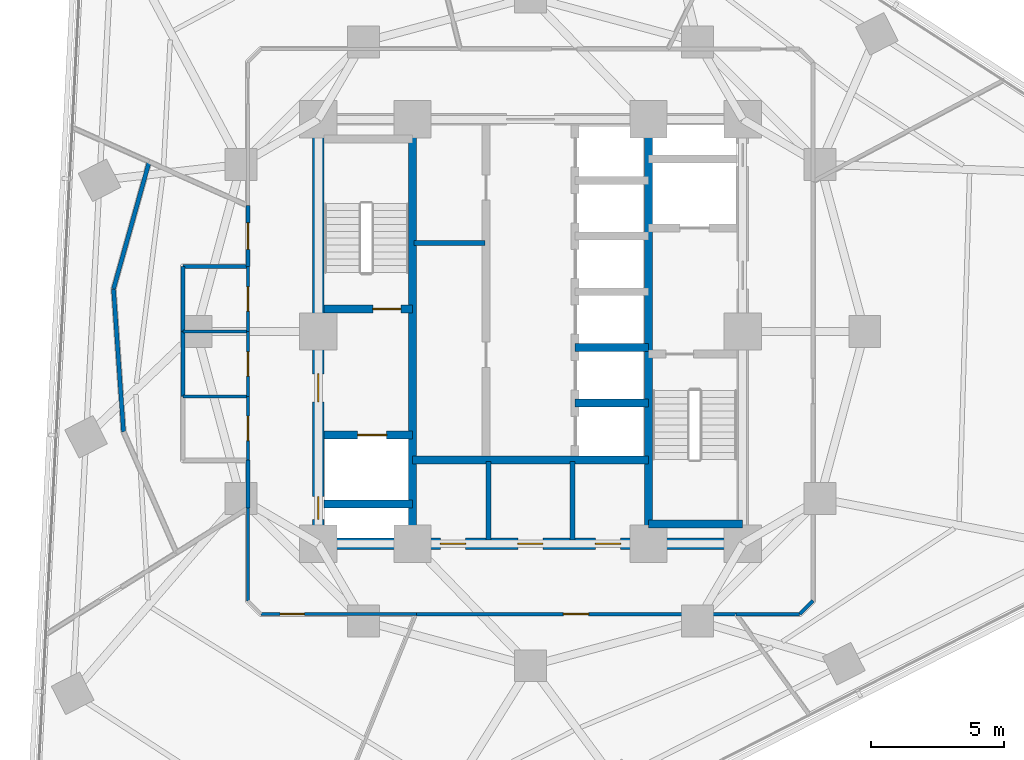
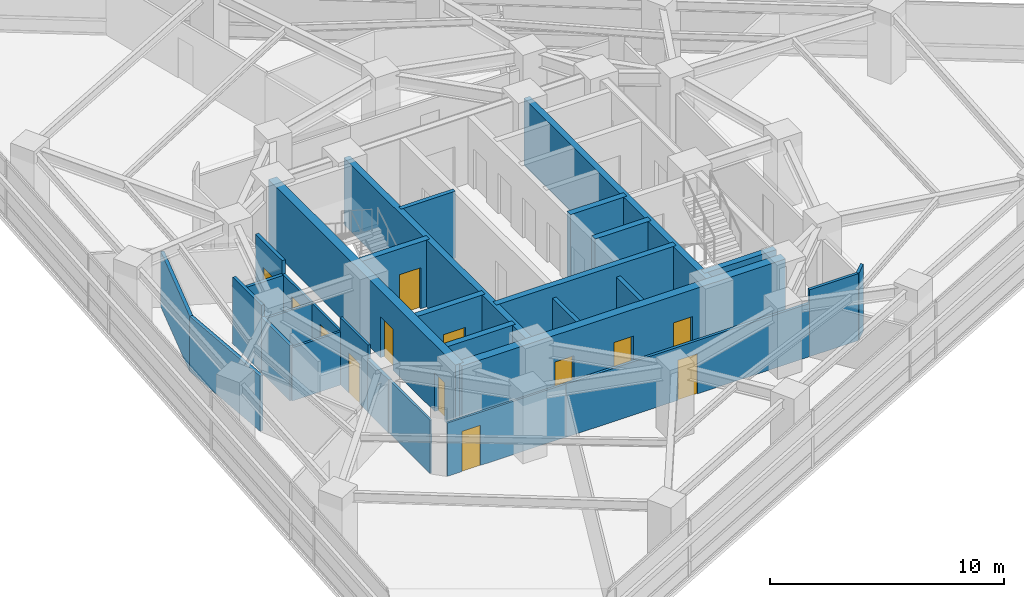
# One storey, part 8 of 14: 31 walls, 13 doors, 13 openings.
"""IFC4 building model written with IfcOpenShell, lengths in metres."""

from ifc_helpers import new_model, si_unit, direction, frame, frame_2d, origin, place, context, subcontext, project, spatial, rectangle, extrude, material, layer, layer_set, type_object, element, fill, save


model = new_model("IFC4")

# Units and contexts
model_context = context("Model", 3, precision=1e-05, world=origin(), true_north=direction((0.0, 1.0)))
body_context = subcontext(model_context, "Body", "Model", "MODEL_VIEW")
ifc_project = project(units=[si_unit("LENGTHUNIT", "METRE"), si_unit("AREAUNIT", "SQUARE_METRE"), si_unit("VOLUMEUNIT", "CUBIC_METRE"), si_unit("PLANEANGLEUNIT", "RADIAN"), si_unit("MASSUNIT", "GRAM", prefix="KILO")], contexts=[model_context])

# Site, building, storey
site_placement = place(None, origin())
site = spatial("IfcSite", under=ifc_project, at=site_placement, CompositionType="ELEMENT")
building_placement = place(site_placement, origin())
building = spatial("IfcBuilding", under=site, at=building_placement, Name="Terralouvre Media Tower", CompositionType="ELEMENT")
storey_placement = place(building_placement, frame((0.0, 0.0, 134.699951171875)))
storey = spatial("IfcBuildingStorey", under=building, at=storey_placement, Name="L34", CompositionType="ELEMENT", Elevation=134.699951171875)

# Walls
ifc_material_1 = material(Name="Concrete C50/60", Category="concrete")
ifc_layer_1 = layer(ifc_material_1, 0.300048828125, Name="Core Internal Shaft Wall CW-300")
ifc_layer_set_1 = layer_set([ifc_layer_1], Name="Concrete C50/60")
wall_type_1 = type_object("IfcWallType", Name="Core Internal Shaft Wall CW-300", PredefinedType="SHEAR", material=ifc_layer_set_1)
for number, where, z_axis, x_axis, name in (
    (1, (-4.449951171875, -7.7900390625, 0.0), (0.0, 0.0, 1.0), (0.0, 1.0, 0.0), "L34 Core Shaft Wall SPW"),
    (2, (4.449951171875, -7.7900390625, 0.0), (0.0, 0.0, 1.0), (0.0, 1.0, 0.0), "L34 Core Shaft Wall SPE"),
):
    element("IfcWall", number, at=place(storey_placement, frame(where, z_axis=z_axis, x_axis=x_axis)), inside=storey, type_object=wall_type_1, Name=name, PredefinedType="SHEAR", context=body_context, shape_type="SweptSolid", body=[
        extrude(rectangle(XDim=15.580078125, YDim=0.300048828125, at=frame_2d((7.7900390625, 0.0))), origin(), (0.0, 0.0, 1.0), 3.5),
    ])

# Wall, opening, door
wall_1_placement = place(storey_placement, frame((-7.7900390625, 0.85009765625, 0.0), z_axis=(0.0, 0.0, 1.0), x_axis=(1.0, 0.0, 0.0)))
wall_1 = element("IfcWall", 3, at=wall_1_placement, inside=storey, type_object=wall_type_1, Name="L34 Core Shaft Wall ST1D", PredefinedType="SHEAR", context=body_context, shape_type="SweptSolid", body=[
    extrude(rectangle(XDim=3.340087890625, YDim=0.300048828125, at=frame_2d((1.669921875, 0.0))), origin(), (0.0, 0.0, 1.0), 3.5),
])
opening_1_placement = place(wall_1_placement, frame((1.85009765625, 0.0, 0.0)))
opening_1 = element("IfcOpeningElement", 4, at=opening_1_placement, cuts=wall_1, Name="Opening FD-01-105X215", PredefinedType="OPENING", context=body_context, shape_type="SweptSolid", body=[
    extrude(rectangle(XDim=1.050048828125, YDim=2.14990234375, at=frame_2d((0.52490234375, 1.074951171875))), frame((0.0, 0.159912109375, 0.0), z_axis=(0.0, -1.0, 0.0), x_axis=(1.0, 0.0, 0.0)), (0.0, 0.0, 1.0), 0.320068359375),
])
ifc_material_2 = material(Name="Galvanised steel fire-resisting leaf", Category="steel")
door_type_1 = type_object("IfcDoorType", Name="Stair and Firefighting Lobby Fire Door FD-01 (1050x2150)", OperationType="NOTDEFINED", PredefinedType="DOOR", material=ifc_material_2)
door_1_placement = place(opening_1_placement, origin())
door_1 = element("IfcDoor", 5, at=door_1_placement, inside=storey, type_object=door_type_1, Name="L34 ST-01 Exit Stair Door", OperationType="SINGLE_SWING_LEFT", OverallHeight=2.14990234375, OverallWidth=1.050048828125, PredefinedType="DOOR", context=body_context, shape_type="SweptSolid", body=[
    extrude(rectangle(XDim=1.050048828125, YDim=2.14990234375, at=frame_2d((0.52490234375, 1.074951171875))), frame((0.0, 0.02490234375, 0.0), z_axis=(0.0, -1.0, 0.0), x_axis=(1.0, 0.0, 0.0)), (0.0, 0.0, 1.0), 0.050048828125),
])
fill(opening_1, door_1)

# Wall
wall_2_placement = place(storey_placement, frame((4.449951171875, -7.260009765625, 0.0), z_axis=(0.0, 0.0, 1.0), x_axis=(1.0, 0.0, 0.0)))
element("IfcWall", 6, at=wall_2_placement, inside=storey, type_object=wall_type_1, Name="L34 Core Shaft Wall ST2F", PredefinedType="SHEAR", context=body_context, shape_type="SweptSolid", body=[
    extrude(rectangle(XDim=3.550048828125, YDim=0.300048828125, at=frame_2d((1.77490234375, 0.0))), origin(), (0.0, 0.0, 1.0), 3.5),
])

# Wall, opening, door
wall_3_placement = place(storey_placement, frame((-7.7900390625, -3.89990234375, 0.0), z_axis=(0.0, 0.0, 1.0), x_axis=(1.0, 0.0, 0.0)))
wall_3 = element("IfcWall", 7, at=wall_3_placement, inside=storey, type_object=wall_type_1, Name="L34 Core Shaft Wall FF1N", PredefinedType="SHEAR", context=body_context, shape_type="SweptSolid", body=[
    extrude(rectangle(XDim=3.340087890625, YDim=0.300048828125, at=frame_2d((1.669921875, 0.0))), origin(), (0.0, 0.0, 1.0), 3.5),
])
opening_2_placement = place(wall_3_placement, frame((1.27001953125, 0.0, 0.0)))
opening_2 = element("IfcOpeningElement", 8, at=opening_2_placement, cuts=wall_3, Name="Opening LD-FF", PredefinedType="OPENING", context=body_context, shape_type="SweptSolid", body=[
    extrude(rectangle(XDim=1.10009765625, YDim=2.10009765625, at=frame_2d((0.550048828125, 1.050048828125))), frame((0.0, 0.159912109375, 0.0), z_axis=(0.0, -1.0, 0.0), x_axis=(1.0, 0.0, 0.0)), (0.0, 0.0, 1.0), 0.320068359375),
])
ifc_material_3 = material(Name="Stainless steel 316 handrail and balustrade", Category="steel")
door_type_2 = type_object("IfcDoorType", Name="Firefighting Lift Sliding Landing Door LD-FF", OperationType="SLIDING_TO_LEFT", PredefinedType="DOOR", material=ifc_material_3)
door_2_placement = place(opening_2_placement, origin())
door_2 = element("IfcDoor", 9, at=door_2_placement, inside=storey, type_object=door_type_2, Name="L34 Firefighting Lift FFL-01 Landing Door", OperationType="SLIDING_TO_LEFT", OverallHeight=2.10009765625, OverallWidth=1.10009765625, PredefinedType="DOOR", context=body_context, shape_type="SweptSolid", body=[
    extrude(rectangle(XDim=1.10009765625, YDim=2.10009765625, at=frame_2d((0.550048828125, 1.050048828125))), frame((0.0, 0.02490234375, 0.0), z_axis=(0.0, -1.0, 0.0), x_axis=(1.0, 0.0, 0.0)), (0.0, 0.0, 1.0), 0.050048828125),
])
fill(opening_2, door_2)

# Walls
wall_4_placement = place(storey_placement, frame((-7.7900390625, -6.5, 0.0), z_axis=(0.0, 0.0, 1.0), x_axis=(1.0, 0.0, 0.0)))
element("IfcWall", 10, at=wall_4_placement, inside=storey, type_object=wall_type_1, Name="L34 Core Shaft Wall FF1S", PredefinedType="SHEAR", context=body_context, shape_type="SweptSolid", body=[
    extrude(rectangle(XDim=3.340087890625, YDim=0.300048828125, at=frame_2d((1.669921875, 0.0))), origin(), (0.0, 0.0, 1.0), 3.5),
])
wall_5_placement = place(storey_placement, frame((-4.449951171875, -4.85009765625, 0.0), z_axis=(0.0, 0.0, 1.0), x_axis=(1.0, 0.0, 0.0)))
element("IfcWall", 11, at=wall_5_placement, inside=storey, type_object=wall_type_1, Name="L34 Core Shaft Wall CSBN", PredefinedType="SHEAR", context=body_context, shape_type="SweptSolid", body=[
    extrude(rectangle(XDim=8.89990234375, YDim=0.300048828125, at=frame_2d((4.449951171875, 0.0))), origin(), (0.0, 0.0, 1.0), 3.5),
])
for number, where, z_axis, x_axis, name in (
    (12, (1.679931640625, -2.699951171875, 0.0), (0.0, 0.0, 1.0), (1.0, 0.0, 0.0), "L34 Core Shaft Wall PLHD1"),
    (13, (1.679931640625, -0.60009765625, 0.0), (0.0, 0.0, 1.0), (1.0, 0.0, 0.0), "L34 Core Shaft Wall PLHD2"),
):
    element("IfcWall", number, at=place(storey_placement, frame(where, z_axis=z_axis, x_axis=x_axis)), inside=storey, type_object=wall_type_1, Name=name, PredefinedType="SHEAR", context=body_context, shape_type="SweptSolid", body=[
        extrude(rectangle(XDim=2.77001953125, YDim=0.300048828125, at=frame_2d((1.385009765625, 0.0))), origin(), (0.0, 0.0, 1.0), 3.5),
    ])

# Wall, openings, doors
ifc_material_4 = material(Name="Concrete C60/75", Category="concrete")
ifc_layer_2 = layer(ifc_material_4, 0.419921875, Name="Core Reinforced Concrete Shear Wall CW-420")
ifc_layer_set_2 = layer_set([ifc_layer_2], Name="Concrete C60/75")
wall_type_2 = type_object("IfcWallType", Name="Core Reinforced Concrete Shear Wall CW-420", PredefinedType="SHEAR", material=ifc_layer_set_2)
wall_6_placement = place(storey_placement, frame((-8.0, -8.0, 0.0), z_axis=(0.0, 0.0, 1.0), x_axis=(0.0, 1.0, 0.0)))
wall_6 = element("IfcWall", 14, at=wall_6_placement, inside=storey, type_object=wall_type_2, Name="L34 W Core Shear Wall", PredefinedType="SHEAR", context=body_context, shape_type="SweptSolid", body=[
    extrude(rectangle(XDim=16.0, YDim=0.419921875, at=frame_2d((8.0, 0.0))), origin(), (0.0, 0.0, 1.0), 3.5),
])
opening_3_placement = place(wall_6_placement, frame((0.921630859375, 0.0, 0.0)))
opening_3 = element("IfcOpeningElement", 15, at=opening_3_placement, cuts=wall_6, Name="Opening TD-R1", PredefinedType="OPENING", context=body_context, shape_type="SweptSolid", body=[
    extrude(rectangle(XDim=0.85009765625, YDim=2.02001953125, at=frame_2d((0.425048828125, 1.010009765625))), frame((0.0, 0.219970703125, 0.0), z_axis=(0.0, -1.0, 0.0), x_axis=(1.0, 0.0, 0.0)), (0.0, 0.0, 1.0), 0.43994140625),
])
opening_4_placement = place(wall_6_placement, frame((5.35009765625, 0.0, 0.0)))
opening_4 = element("IfcOpeningElement", 16, at=opening_4_placement, cuts=wall_6, Name="Opening FD-01-105X215", PredefinedType="OPENING", context=body_context, shape_type="SweptSolid", body=[
    extrude(rectangle(XDim=1.050048828125, YDim=2.14990234375, at=frame_2d((0.52490234375, 1.074951171875))), frame((0.0, 0.219970703125, 0.0), z_axis=(0.0, -1.0, 0.0), x_axis=(1.0, 0.0, 0.0)), (0.0, 0.0, 1.0), 0.43994140625),
])
ifc_material_5 = material(Name="Galvanised steel fire-resisting leaf", Category="steel")
door_type_3 = type_object("IfcDoorType", Name="Riser Inspection Access Trapdoor TD-R1", OperationType="NOTDEFINED", PredefinedType="TRAPDOOR", material=ifc_material_5)
door_3_placement = place(opening_3_placement, origin())
door_3 = element("IfcDoor", 17, at=door_3_placement, inside=storey, type_object=door_type_3, Name="L34 Wet Riser Access Trapdoor", OperationType="SINGLE_SWING_LEFT", OverallHeight=2.02001953125, OverallWidth=0.85009765625, PredefinedType="TRAPDOOR", context=body_context, shape_type="SweptSolid", body=[
    extrude(rectangle(XDim=0.85009765625, YDim=2.02001953125, at=frame_2d((0.425048828125, 1.010009765625))), frame((0.0, 0.02490234375, 0.0), z_axis=(0.0, -1.0, 0.0), x_axis=(1.0, 0.0, 0.0)), (0.0, 0.0, 1.0), 0.050048828125),
])
fill(opening_3, door_3)
door_4_placement = place(opening_4_placement, origin())
door_4 = element("IfcDoor", 18, at=door_4_placement, inside=storey, type_object=door_type_1, Name="L34 West Firefighting Lobby Entry Door", OperationType="SINGLE_SWING_RIGHT", OverallHeight=2.14990234375, OverallWidth=1.050048828125, PredefinedType="DOOR", context=body_context, shape_type="SweptSolid", body=[
    extrude(rectangle(XDim=1.050048828125, YDim=2.14990234375, at=frame_2d((0.52490234375, 1.074951171875))), frame((0.0, 0.02490234375, 0.0), z_axis=(0.0, -1.0, 0.0), x_axis=(1.0, 0.0, 0.0)), (0.0, 0.0, 1.0), 0.050048828125),
])
fill(opening_4, door_4)

wall_7_placement = place(storey_placement, frame((-8.0, -8.0, 0.0), z_axis=(0.0, 0.0, 1.0), x_axis=(1.0, 0.0, 0.0)))
wall_7 = element("IfcWall", 19, at=wall_7_placement, inside=storey, type_object=wall_type_2, Name="L34 S Core Shear Wall", PredefinedType="SHEAR", context=body_context, shape_type="SweptSolid", body=[
    extrude(rectangle(XDim=16.0, YDim=0.419921875, at=frame_2d((8.0, 0.0))), origin(), (0.0, 0.0, 1.0), 3.5),
])
opening_5_placement = place(wall_7_placement, frame((4.60009765625, 0.0, 0.0)))
opening_5 = element("IfcOpeningElement", 20, at=opening_5_placement, cuts=wall_7, Name="Opening FD-02-95X210", PredefinedType="OPENING", context=body_context, shape_type="SweptSolid", body=[
    extrude(rectangle(XDim=0.949951171875, YDim=2.10009765625, at=frame_2d((0.47509765625, 1.050048828125))), frame((0.0, 0.219970703125, 0.0), z_axis=(0.0, -1.0, 0.0), x_axis=(1.0, 0.0, 0.0)), (0.0, 0.0, 1.0), 0.43994140625),
])
opening_6_placement = place(wall_7_placement, frame((7.52001953125, 0.0, 0.0)))
opening_6 = element("IfcOpeningElement", 21, at=opening_6_placement, cuts=wall_7, Name="Opening FD-02-95X210", PredefinedType="OPENING", context=body_context, shape_type="SweptSolid", body=[
    extrude(rectangle(XDim=0.949951171875, YDim=2.10009765625, at=frame_2d((0.47509765625, 1.050048828125))), frame((0.0, 0.219970703125, 0.0), z_axis=(0.0, -1.0, 0.0), x_axis=(1.0, 0.0, 0.0)), (0.0, 0.0, 1.0), 0.43994140625),
])
opening_7_placement = place(wall_7_placement, frame((10.449951171875, 0.0, 0.0)))
opening_7 = element("IfcOpeningElement", 22, at=opening_7_placement, cuts=wall_7, Name="Opening FD-02-95X210", PredefinedType="OPENING", context=body_context, shape_type="SweptSolid", body=[
    extrude(rectangle(XDim=0.949951171875, YDim=2.10009765625, at=frame_2d((0.47509765625, 1.050048828125))), frame((0.0, 0.219970703125, 0.0), z_axis=(0.0, -1.0, 0.0), x_axis=(1.0, 0.0, 0.0)), (0.0, 0.0, 1.0), 0.43994140625),
])
ifc_material_6 = material(Name="Galvanised steel fire-resisting leaf", Category="steel")
door_type_4 = type_object("IfcDoorType", Name="Plant and Riser Fire Door FD-02 (950x2100)", OperationType="NOTDEFINED", PredefinedType="DOOR", material=ifc_material_6)
door_5_placement = place(opening_5_placement, origin())
door_5 = element("IfcDoor", 23, at=door_5_placement, inside=storey, type_object=door_type_4, Name="L34 Core Janitor Store Door", OperationType="SINGLE_SWING_LEFT", OverallHeight=2.10009765625, OverallWidth=0.949951171875, PredefinedType="DOOR", context=body_context, shape_type="SweptSolid", body=[
    extrude(rectangle(XDim=0.949951171875, YDim=2.10009765625, at=frame_2d((0.47509765625, 1.050048828125))), frame((0.0, 0.02490234375, 0.0), z_axis=(0.0, -1.0, 0.0), x_axis=(1.0, 0.0, 0.0)), (0.0, 0.0, 1.0), 0.050048828125),
])
fill(opening_5, door_5)
door_6_placement = place(opening_6_placement, origin())
door_6 = element("IfcDoor", 24, at=door_6_placement, inside=storey, type_object=door_type_4, Name="L34 Core Linen Store Door", OperationType="SINGLE_SWING_RIGHT", OverallHeight=2.10009765625, OverallWidth=0.949951171875, PredefinedType="DOOR", context=body_context, shape_type="SweptSolid", body=[
    extrude(rectangle(XDim=0.949951171875, YDim=2.10009765625, at=frame_2d((0.47509765625, 1.050048828125))), frame((0.0, 0.02490234375, 0.0), z_axis=(0.0, -1.0, 0.0), x_axis=(1.0, 0.0, 0.0)), (0.0, 0.0, 1.0), 0.050048828125),
])
fill(opening_6, door_6)
door_7_placement = place(opening_7_placement, origin())
door_7 = element("IfcDoor", 25, at=door_7_placement, inside=storey, type_object=door_type_4, Name="L34 Core Metering Plant Door", OperationType="SINGLE_SWING_LEFT", OverallHeight=2.10009765625, OverallWidth=0.949951171875, PredefinedType="DOOR", context=body_context, shape_type="SweptSolid", body=[
    extrude(rectangle(XDim=0.949951171875, YDim=2.10009765625, at=frame_2d((0.47509765625, 1.050048828125))), frame((0.0, 0.02490234375, 0.0), z_axis=(0.0, -1.0, 0.0), x_axis=(1.0, 0.0, 0.0)), (0.0, 0.0, 1.0), 0.050048828125),
])
fill(opening_7, door_7)

# Wall
ifc_material_7 = material(Name="Low-iron laminated double glazing with solar-control coating", Category="glass")
ifc_layer_3 = layer(ifc_material_7, 0.10009765625, Name="Demountable Glazed Office Partition PT-GL100")
ifc_layer_set_3 = layer_set([ifc_layer_3], Name="Low-iron laminated double glazing with solar-control coating")
wall_type_3 = type_object("IfcWallType", Name="Demountable Glazed Office Partition PT-GL100", PredefinedType="MOVABLE", material=ifc_layer_set_3)
wall_8_placement = place(storey_placement, frame((-10.64990234375, -6.655029296875, 0.0), z_axis=(0.0, 0.0, 1.0), x_axis=(0.0, -1.0, 0.0)))
element("IfcWall", 26, at=wall_8_placement, inside=storey, type_object=wall_type_3, Name="L34 Interior Partition 005", PredefinedType="MOVABLE", context=body_context, shape_type="SweptSolid", body=[
    extrude(rectangle(XDim=3.494873046875, YDim=0.10009765625, at=frame_2d((1.74755859375, 0.0))), origin(), (0.0, 0.0, 1.0), 2.78515625),
])

# Wall, opening, door
wall_9_placement = place(storey_placement, frame((-10.14990234375, -10.64990234375, 0.0), z_axis=(0.0, 0.0, 1.0), x_axis=(1.0, 0.0, 0.0)))
wall_9 = element("IfcWall", 27, at=wall_9_placement, inside=storey, type_object=wall_type_3, Name="L34 Interior Partition 007", PredefinedType="MOVABLE", context=body_context, shape_type="SweptSolid", body=[
    extrude(rectangle(XDim=5.846923828125, YDim=0.10009765625, at=frame_2d((2.92333984375, 0.0))), origin(), (0.0, 0.0, 1.0), 2.78515625),
])
opening_8_placement = place(wall_9_placement, frame((0.70947265625, 0.0, 0.0)))
opening_8 = element("IfcOpeningElement", 28, at=opening_8_placement, cuts=wall_9, Name="Opening ID-03-92X210", PredefinedType="OPENING", context=body_context, shape_type="SweptSolid", body=[
    extrude(rectangle(XDim=0.919921875, YDim=2.10009765625, at=frame_2d((0.4599609375, 1.050048828125))), frame((0.0, 0.06005859375, 0.0), z_axis=(0.0, -1.0, 0.0), x_axis=(1.0, 0.0, 0.0)), (0.0, 0.0, 1.0), 0.1201171875),
])
ifc_material_8 = material(Name="Engineered hardwood acoustic timber leaf", Category="wood")
door_type_5 = type_object("IfcDoorType", Name="Accessible Restroom and Suite Door ID-03 (920x2100)", OperationType="NOTDEFINED", PredefinedType="DOOR", material=ifc_material_8)
door_8_placement = place(opening_8_placement, origin())
door_8 = element("IfcDoor", 29, at=door_8_placement, inside=storey, type_object=door_type_5, Name="L34 Arts Critique Seminar Room 3 Door", OperationType="SINGLE_SWING_LEFT", OverallHeight=2.10009765625, OverallWidth=0.919921875, PredefinedType="DOOR", context=body_context, shape_type="SweptSolid", body=[
    extrude(rectangle(XDim=0.919921875, YDim=2.10009765625, at=frame_2d((0.4599609375, 1.050048828125))), frame((0.0, 0.02490234375, 0.0), z_axis=(0.0, -1.0, 0.0), x_axis=(1.0, 0.0, 0.0)), (0.0, 0.0, 1.0), 0.050048828125),
])
fill(opening_8, door_8)

# Walls
ifc_material_9 = material(Name="Fire-rated gypsum board drywall partition")
ifc_layer_4 = layer(ifc_material_9, 0.199951171875, Name="Fire-Rated Shaft and Lobby Partition FW-200")
ifc_layer_set_4 = layer_set([ifc_layer_4], Name="Fire-rated gypsum board drywall partition")
wall_type_4 = type_object("IfcWallType", Name="Fire-Rated Shaft and Lobby Partition FW-200", PredefinedType="SOLIDWALL", material=ifc_layer_set_4)
for number, where, z_axis, x_axis, name in (
    (30, (-1.580078125, -7.85009765625, 0.0), (0.0, 0.0, 1.0), (0.0, 1.0, 0.0), "L34 Core Service Bay Partition 1"),
    (31, (1.580078125, -7.85009765625, 0.0), (0.0, 0.0, 1.0), (0.0, 1.0, 0.0), "L34 Core Service Bay Partition 2"),
):
    element("IfcWall", number, at=place(storey_placement, frame(where, z_axis=z_axis, x_axis=x_axis)), inside=storey, type_object=wall_type_4, Name=name, PredefinedType="SOLIDWALL", context=body_context, shape_type="SweptSolid", body=[
        extrude(rectangle(XDim=2.9501953125, YDim=0.199951171875, at=frame_2d((1.47509765625, 0.0))), origin(), (0.0, 0.0, 1.0), 2.885009765625),
    ])
wall_10_placement = place(storey_placement, frame((-4.39990234375, 3.340087890625, 0.0), z_axis=(0.0, 0.0, 1.0), x_axis=(1.0, 0.0, 0.0)))
element("IfcWall", 32, at=wall_10_placement, inside=storey, type_object=wall_type_4, Name="L34 Core West Sub-Partition 1", PredefinedType="SOLIDWALL", context=body_context, shape_type="SweptSolid", body=[
    extrude(rectangle(XDim=2.679931640625, YDim=0.199951171875, at=frame_2d((1.33984375, 0.0))), origin(), (0.0, 0.0, 1.0), 3.5),
])

# Wall, opening, door
ifc_material_10 = material(Name="Fire-rated gypsum board drywall partition")
ifc_layer_5 = layer(ifc_material_10, 0.135009765625, Name="Newsroom Acoustic Partition PT-135")
ifc_layer_set_5 = layer_set([ifc_layer_5], Name="Fire-rated gypsum board drywall partition")
wall_type_5 = type_object("IfcWallType", Name="Newsroom Acoustic Partition PT-135", PredefinedType="PARTITIONING", material=ifc_layer_set_5)
wall_11_placement = place(storey_placement, frame((-4.302978515625, -10.64990234375, 0.0), z_axis=(0.0, 0.0, 1.0), x_axis=(1.0, 0.0, 0.0)))
wall_11 = element("IfcWall", 33, at=wall_11_placement, inside=storey, type_object=wall_type_5, Name="L34 Interior Partition 008", PredefinedType="PARTITIONING", context=body_context, shape_type="SweptSolid", body=[
    extrude(rectangle(XDim=12.041015625, YDim=0.135009765625, at=frame_2d((6.0205078125, 0.0))), origin(), (0.0, 0.0, 1.0), 2.78515625),
])
opening_9_placement = place(wall_11_placement, frame((5.54541015625, 0.0, 0.0)))
opening_9 = element("IfcOpeningElement", 34, at=opening_9_placement, cuts=wall_11, Name="Opening ID-02-95X210", PredefinedType="OPENING", context=body_context, shape_type="SweptSolid", body=[
    extrude(rectangle(XDim=0.949951171875, YDim=2.10009765625, at=frame_2d((0.47509765625, 1.050048828125))), frame((0.0, 0.077392578125, 0.0), z_axis=(0.0, -1.0, 0.0), x_axis=(1.0, 0.0, 0.0)), (0.0, 0.0, 1.0), 0.155029296875),
])
ifc_material_11 = material(Name="Engineered hardwood acoustic timber leaf", Category="wood")
door_type_6 = type_object("IfcDoorType", Name="Office and Meeting Room Door ID-02 (950x2100)", OperationType="NOTDEFINED", PredefinedType="DOOR", material=ifc_material_11)
door_9_placement = place(opening_9_placement, origin())
door_9 = element("IfcDoor", 35, at=door_9_placement, inside=storey, type_object=door_type_6, Name="L34 Cultural Quarterly Editorial Office 4 Door", OperationType="SINGLE_SWING_RIGHT", OverallHeight=2.10009765625, OverallWidth=0.949951171875, PredefinedType="DOOR", context=body_context, shape_type="SweptSolid", body=[
    extrude(rectangle(XDim=0.949951171875, YDim=2.10009765625, at=frame_2d((0.47509765625, 1.050048828125))), frame((0.0, 0.02490234375, 0.0), z_axis=(0.0, -1.0, 0.0), x_axis=(1.0, 0.0, 0.0)), (0.0, 0.0, 1.0), 0.050048828125),
])
fill(opening_9, door_9)

# Walls
wall_12_placement = place(storey_placement, frame((7.738037109375, -10.64990234375, 0.0), z_axis=(0.0, 0.0, 1.0), x_axis=(1.0, 0.0, 0.0)))
element("IfcWall", 36, at=wall_12_placement, inside=storey, type_object=wall_type_5, Name="L34 Interior Partition 009", PredefinedType="PARTITIONING", context=body_context, shape_type="SweptSolid", body=[
    extrude(rectangle(XDim=2.411865234375, YDim=0.135009765625, at=frame_2d((1.2060546875, 0.0))), origin(), (0.0, 0.0, 1.0), 3.5),
])
wall_13_placement = place(storey_placement, frame((10.14990234375, -10.64990234375, 0.0), z_axis=(0.0, 0.0, 1.0), x_axis=(0.707106781187, 0.707106781187, 0.0)))
element("IfcWall", 37, at=wall_13_placement, inside=storey, type_object=wall_type_5, Name="L34 Interior Partition 010", PredefinedType="PARTITIONING", context=body_context, shape_type="SweptSolid", body=[
    extrude(rectangle(XDim=0.70703125, YDim=0.135009765625, at=frame_2d((0.353515625, 0.0))), origin(), (0.0, 0.0, 1.0), 3.5),
])

# Wall, opening, door
ifc_material_12 = material(Name="Fire-rated gypsum board drywall partition")
ifc_layer_6 = layer(ifc_material_12, 0.114990234375, Name="Restroom and Pantry Partition PT-115")
ifc_layer_set_6 = layer_set([ifc_layer_6], Name="Fire-rated gypsum board drywall partition")
wall_type_6 = type_object("IfcWallType", Name="Restroom and Pantry Partition PT-115", PredefinedType="PARTITIONING", material=ifc_layer_set_6)
wall_14_placement = place(storey_placement, frame((-10.64990234375, 0.0, 0.0), z_axis=(0.0, 0.0, 1.0), x_axis=(0.0, -1.0, 0.0)))
wall_14 = element("IfcWall", 38, at=wall_14_placement, inside=storey, type_object=wall_type_6, Name="L34 Interior Partition 003", PredefinedType="PARTITIONING", context=body_context, shape_type="SweptSolid", body=[
    extrude(rectangle(XDim=2.449951171875, YDim=0.114990234375, at=frame_2d((1.22509765625, 0.0))), origin(), (0.0, 0.0, 1.0), 2.78515625),
])
opening_10_placement = place(wall_14_placement, frame((0.764892578125, 0.0, 0.0)))
opening_10 = element("IfcOpeningElement", 39, at=opening_10_placement, cuts=wall_14, Name="Opening ID-03-92X210", PredefinedType="OPENING", context=body_context, shape_type="SweptSolid", body=[
    extrude(rectangle(XDim=0.919921875, YDim=2.10009765625, at=frame_2d((0.4599609375, 1.050048828125))), frame((0.0, 0.0673828125, 0.0), z_axis=(0.0, -1.0, 0.0), x_axis=(1.0, 0.0, 0.0)), (0.0, 0.0, 1.0), 0.135009765625),
])
door_10_placement = place(opening_10_placement, origin())
door_10 = element("IfcDoor", 40, at=door_10_placement, inside=storey, type_object=door_type_5, Name="L34 Female Restroom WC Door", OperationType="SINGLE_SWING_LEFT", OverallHeight=2.10009765625, OverallWidth=0.919921875, PredefinedType="DOOR", context=body_context, shape_type="SweptSolid", body=[
    extrude(rectangle(XDim=0.919921875, YDim=2.10009765625, at=frame_2d((0.4599609375, 1.050048828125))), frame((0.0, 0.02490234375, 0.0), z_axis=(0.0, -1.0, 0.0), x_axis=(1.0, 0.0, 0.0)), (0.0, 0.0, 1.0), 0.050048828125),
])
fill(opening_10, door_10)

wall_15_placement = place(storey_placement, frame((-10.64990234375, -2.449951171875, 0.0), z_axis=(0.0, 0.0, 1.0), x_axis=(0.0, -1.0, 0.0)))
wall_15 = element("IfcWall", 41, at=wall_15_placement, inside=storey, type_object=wall_type_6, Name="L34 Interior Partition 004", PredefinedType="PARTITIONING", context=body_context, shape_type="SweptSolid", body=[
    extrude(rectangle(XDim=2.400146484375, YDim=0.114990234375, at=frame_2d((1.2001953125, 0.0))), origin(), (0.0, 0.0, 1.0), 3.5),
])
opening_11_placement = place(wall_15_placement, frame((0.739990234375, 0.0, 0.0)))
opening_11 = element("IfcOpeningElement", 42, at=opening_11_placement, cuts=wall_15, Name="Opening ID-03-92X210", PredefinedType="OPENING", context=body_context, shape_type="SweptSolid", body=[
    extrude(rectangle(XDim=0.919921875, YDim=2.10009765625, at=frame_2d((0.4599609375, 1.050048828125))), frame((0.0, 0.0673828125, 0.0), z_axis=(0.0, -1.0, 0.0), x_axis=(1.0, 0.0, 0.0)), (0.0, 0.0, 1.0), 0.135009765625),
])
door_11_placement = place(opening_11_placement, origin())
door_11 = element("IfcDoor", 43, at=door_11_placement, inside=storey, type_object=door_type_5, Name="L34 Male Restroom WC Door", OperationType="SINGLE_SWING_RIGHT", OverallHeight=2.10009765625, OverallWidth=0.919921875, PredefinedType="DOOR", context=body_context, shape_type="SweptSolid", body=[
    extrude(rectangle(XDim=0.919921875, YDim=2.10009765625, at=frame_2d((0.4599609375, 1.050048828125))), frame((0.0, 0.02490234375, 0.0), z_axis=(0.0, -1.0, 0.0), x_axis=(1.0, 0.0, 0.0)), (0.0, 0.0, 1.0), 0.050048828125),
])
fill(opening_11, door_11)

wall_16_placement = place(storey_placement, frame((-10.64990234375, 2.449951171875, 0.0), z_axis=(0.0, 0.0, 1.0), x_axis=(0.0, -1.0, 0.0)))
wall_16 = element("IfcWall", 44, at=wall_16_placement, inside=storey, type_object=wall_type_6, Name="L34 Interior Partition 019", PredefinedType="PARTITIONING", context=body_context, shape_type="SweptSolid", body=[
    extrude(rectangle(XDim=2.449951171875, YDim=0.114990234375, at=frame_2d((1.22509765625, 0.0))), origin(), (0.0, 0.0, 1.0), 2.78515625),
])
opening_12_placement = place(wall_16_placement, frame((0.764892578125, 0.0, 0.0)))
opening_12 = element("IfcOpeningElement", 45, at=opening_12_placement, cuts=wall_16, Name="Opening ID-03-92X210", PredefinedType="OPENING", context=body_context, shape_type="SweptSolid", body=[
    extrude(rectangle(XDim=0.919921875, YDim=2.10009765625, at=frame_2d((0.4599609375, 1.050048828125))), frame((0.0, 0.0673828125, 0.0), z_axis=(0.0, -1.0, 0.0), x_axis=(1.0, 0.0, 0.0)), (0.0, 0.0, 1.0), 0.135009765625),
])
door_12_placement = place(opening_12_placement, origin())
door_12 = element("IfcDoor", 46, at=door_12_placement, inside=storey, type_object=door_type_5, Name="L34 Accessible Unisex WC Door", OperationType="SINGLE_SWING_LEFT", OverallHeight=2.10009765625, OverallWidth=0.919921875, PredefinedType="DOOR", context=body_context, shape_type="SweptSolid", body=[
    extrude(rectangle(XDim=0.919921875, YDim=2.10009765625, at=frame_2d((0.4599609375, 1.050048828125))), frame((0.0, 0.02490234375, 0.0), z_axis=(0.0, -1.0, 0.0), x_axis=(1.0, 0.0, 0.0)), (0.0, 0.0, 1.0), 0.050048828125),
])
fill(opening_12, door_12)

# Walls
for number, where, z_axis, x_axis, name in (
    (47, (-13.10009765625, -2.449951171875, 0.0), (0.0, 0.0, 1.0), (1.0, 0.0, 0.0), "L34 Interior Partition 030"),
    (48, (-10.64990234375, 0.0, 0.0), (0.0, 0.0, 1.0), (-1.0, 0.0, 0.0), "L34 Interior Partition 031"),
):
    element("IfcWall", number, at=place(storey_placement, frame(where, z_axis=z_axis, x_axis=x_axis)), inside=storey, type_object=wall_type_6, Name=name, PredefinedType="PARTITIONING", context=body_context, shape_type="SweptSolid", body=[
        extrude(rectangle(XDim=2.4501953125, YDim=0.114990234375, at=frame_2d((1.22509765625, 0.0))), origin(), (0.0, 0.0, 1.0), 2.78515625),
    ])
ifc_material_13 = material(Name="Fire-rated gypsum board drywall partition")
ifc_layer_7 = layer(ifc_material_13, 0.159912109375, Name="Studio Acoustic Rated Partition PT-160")
ifc_layer_set_7 = layer_set([ifc_layer_7], Name="Fire-rated gypsum board drywall partition")
wall_type_7 = type_object("IfcWallType", Name="Studio Acoustic Rated Partition PT-160", PredefinedType="PARTITIONING", material=ifc_layer_set_7)
wall_17_placement = place(storey_placement, frame((-10.64990234375, -4.85009765625, 0.0), z_axis=(0.0, 0.0, 1.0), x_axis=(0.0, -1.0, 0.0)))
element("IfcWall", 49, at=wall_17_placement, inside=storey, type_object=wall_type_7, Name="L34 Interior Partition 001", PredefinedType="PARTITIONING", context=body_context, shape_type="SweptSolid", body=[
    extrude(rectangle(XDim=1.804931640625, YDim=0.159912109375, at=frame_2d((0.90234375, 0.0))), origin(), (0.0, 0.0, 1.0), 2.78515625),
])

# Wall, opening, door
wall_18_placement = place(storey_placement, frame((-10.64990234375, 4.741943359375, 0.0), z_axis=(0.0, 0.0, 1.0), x_axis=(0.0, -1.0, 0.0)))
wall_18 = element("IfcWall", 50, at=wall_18_placement, inside=storey, type_object=wall_type_7, Name="L34 Interior Partition 002", PredefinedType="PARTITIONING", context=body_context, shape_type="SweptSolid", body=[
    extrude(rectangle(XDim=2.2919921875, YDim=0.159912109375, at=frame_2d((1.14599609375, 0.0))), origin(), (0.0, 0.0, 1.0), 3.5),
])
opening_13_placement = place(wall_18_placement, frame((0.64599609375, 0.0, 0.0)))
opening_13 = element("IfcOpeningElement", 51, at=opening_13_placement, cuts=wall_18, Name="Opening ID-01-100X215", PredefinedType="OPENING", context=body_context, shape_type="SweptSolid", body=[
    extrude(rectangle(XDim=1.0, YDim=2.14990234375, at=frame_2d((0.5, 1.074951171875))), frame((0.0, 0.08984375, 0.0), z_axis=(0.0, -1.0, 0.0), x_axis=(1.0, 0.0, 0.0)), (0.0, 0.0, 1.0), 0.179931640625),
])
ifc_material_14 = material(Name="Engineered hardwood acoustic timber leaf", Category="wood")
door_type_7 = type_object("IfcDoorType", Name="Broadcast Studio Acoustic Single Door ID-01 (1000x2150)", OperationType="NOTDEFINED", PredefinedType="DOOR", material=ifc_material_14)
door_13_placement = place(opening_13_placement, origin())
door_13 = element("IfcDoor", 52, at=door_13_placement, inside=storey, type_object=door_type_7, Name="L34 Audio Digitisation Control Room 1 Door", OperationType="SINGLE_SWING_RIGHT", OverallHeight=2.14990234375, OverallWidth=1.0, PredefinedType="DOOR", context=body_context, shape_type="SweptSolid", body=[
    extrude(rectangle(XDim=1.0, YDim=2.14990234375, at=frame_2d((0.5, 1.074951171875))), frame((0.0, 0.02490234375, 0.0), z_axis=(0.0, -1.0, 0.0), x_axis=(1.0, 0.0, 0.0)), (0.0, 0.0, 1.0), 0.050048828125),
])
fill(opening_13, door_13)

# Walls
wall_19_placement = place(storey_placement, frame((-13.10009765625, -2.449951171875, 0.0), z_axis=(0.0, 0.0, 1.0), x_axis=(0.0, 1.0, 0.0)))
element("IfcWall", 53, at=wall_19_placement, inside=storey, type_object=wall_type_7, Name="L34 Interior Partition 020", PredefinedType="PARTITIONING", context=body_context, shape_type="SweptSolid", body=[
    extrude(rectangle(XDim=2.449951171875, YDim=0.159912109375, at=frame_2d((1.22509765625, 0.0))), origin(), (0.0, 0.0, 1.0), 2.885009765625),
])
wall_20_placement = place(storey_placement, frame((-14.3740234375, 6.39990234375, 0.0), z_axis=(0.0, 0.0, 1.0), x_axis=(-0.269944572541, -0.962875863108, 0.0)))
element("IfcWall", 54, at=wall_20_placement, inside=storey, type_object=wall_type_7, Name="L34 Interior Partition 021", PredefinedType="PARTITIONING", context=body_context, shape_type="SweptSolid", body=[
    extrude(rectangle(XDim=4.978759765625, YDim=0.159912109375, at=frame_2d((2.4892578125, 0.0))), origin(), (0.0, 0.0, 1.0), 2.885009765625),
])
wall_21_placement = place(storey_placement, frame((-15.718017578125, 1.60595703125, 0.0), z_axis=(0.0, 0.0, 1.0), x_axis=(0.069662122655, -0.997570643447, 0.0)))
element("IfcWall", 55, at=wall_21_placement, inside=storey, type_object=wall_type_7, Name="L34 Interior Partition 022", PredefinedType="PARTITIONING", context=body_context, shape_type="SweptSolid", body=[
    extrude(rectangle(XDim=5.397216796875, YDim=0.159912109375, at=frame_2d((2.69873046875, 0.0))), origin(), (0.0, 0.0, 1.0), 2.885009765625),
])
wall_22_placement = place(storey_placement, frame((-13.10009765625, 0.0, 0.0), z_axis=(0.0, 0.0, 1.0), x_axis=(0.0, 1.0, 0.0)))
element("IfcWall", 56, at=wall_22_placement, inside=storey, type_object=wall_type_7, Name="L34 Interior Partition 028", PredefinedType="PARTITIONING", context=body_context, shape_type="SweptSolid", body=[
    extrude(rectangle(XDim=2.449951171875, YDim=0.159912109375, at=frame_2d((1.22509765625, 0.0))), origin(), (0.0, 0.0, 1.0), 3.5),
])
wall_23_placement = place(storey_placement, frame((-13.10009765625, 2.449951171875, 0.0), z_axis=(0.0, 0.0, 1.0), x_axis=(1.0, 0.0, 0.0)))
element("IfcWall", 57, at=wall_23_placement, inside=storey, type_object=wall_type_7, Name="L34 Interior Partition 029", PredefinedType="PARTITIONING", context=body_context, shape_type="SweptSolid", body=[
    extrude(rectangle(XDim=2.4501953125, YDim=0.159912109375, at=frame_2d((1.22509765625, 0.0))), origin(), (0.0, 0.0, 1.0), 2.78515625),
])

save(model, "model.ifc")
